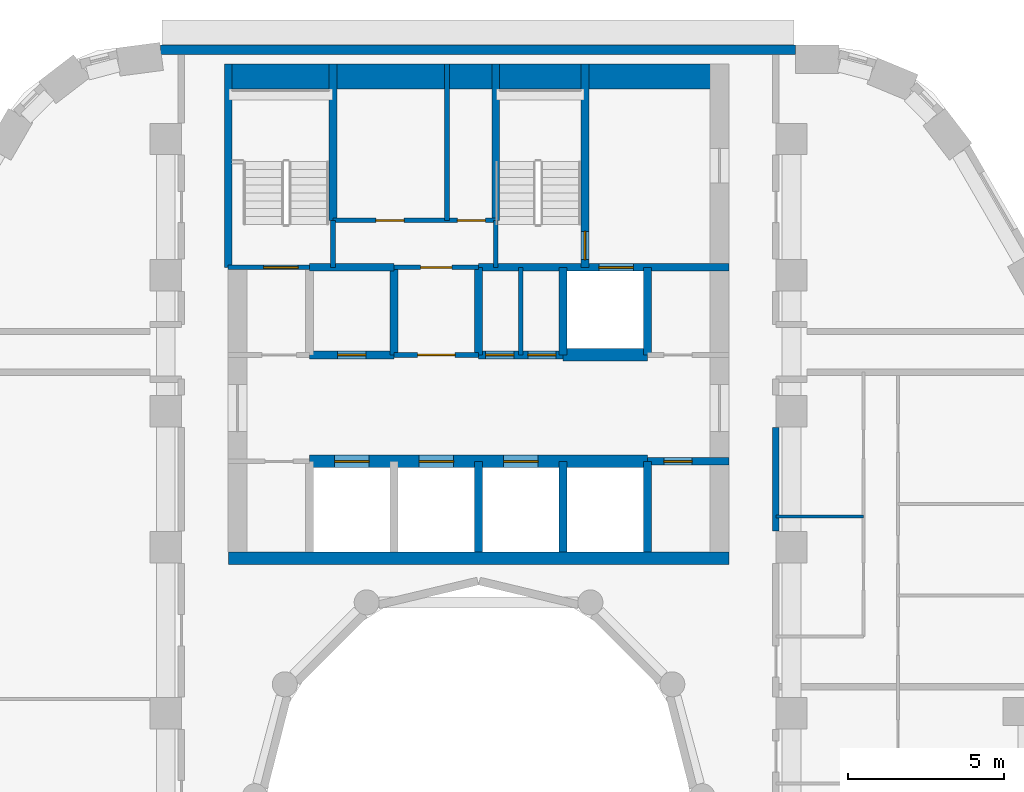
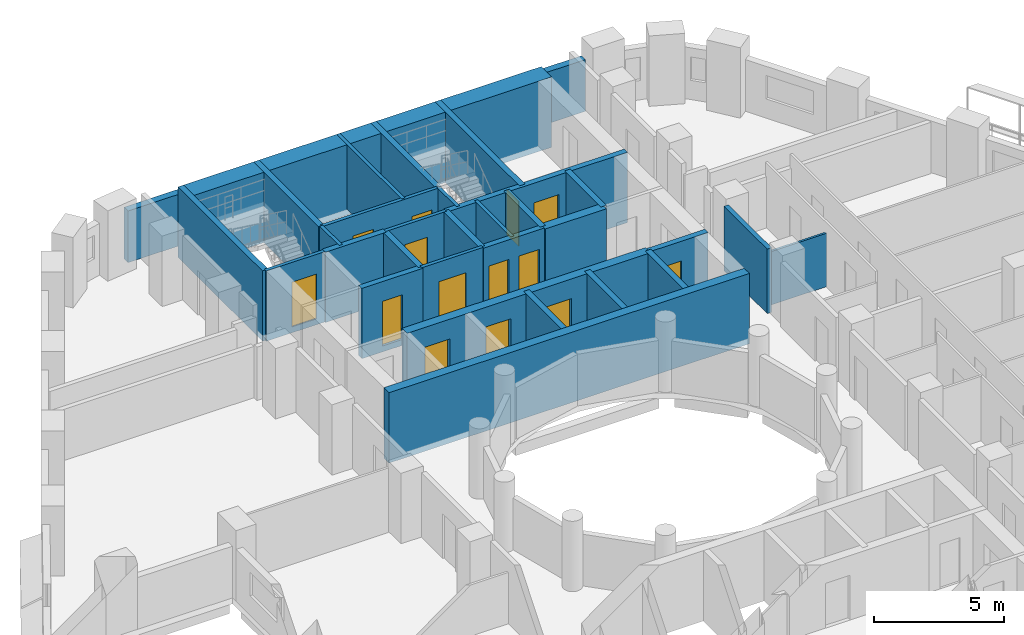
# One storey, part 7 of 13: 31 walls, 14 doors, 14 openings.
"""IFC4 building model written with IfcOpenShell, lengths in metres."""

import ifcopenshell
import ifcopenshell.guid

model = None  # the IFC model being written
_history = None  # IfcOwnerHistory: only IFC2X3 demands one
_inside = {}  # id of a spatial element -> (the spatial element, [elements in it])
_under = {}  # id of a project, library or spatial element -> (it, [spatial elements below it])
_declared = {}  # id of a project -> (the project, [libraries it declares])
_typed = {}  # id of a type object -> (the type object, [elements of that type])
_made_of = {}  # id of a material, layer set ... -> (it, [elements and type objects made of it])


def new_model(schema):
    """Start an empty IFC model of exactly this schema.

    Asked for "IFC4X3", IfcOpenShell would pick the latest addendum, in which some entities
    have other attributes; the version numbers below select the first issue.
    IFC2X3 requires an IfcOwnerHistory on every rooted entity: one is made here for all.
    """
    global model, _history
    if schema == "IFC4X3":
        model = ifcopenshell.file(schema_version=(4, 3, 0, 0))
    else:
        model = ifcopenshell.file(schema=schema)
    _inside.clear()
    _under.clear()
    _declared.clear()
    _typed.clear()
    _made_of.clear()
    _history = None
    if model.schema == "IFC2X3":
        org = make("IfcOrganization", Name="unknown")
        user = make(
            "IfcPersonAndOrganization",
            ThePerson=make("IfcPerson", FamilyName="unknown"),
            TheOrganization=org,
        )
        app = make(
            "IfcApplication",
            ApplicationDeveloper=org,
            Version="unknown",
            ApplicationFullName="unknown",
            ApplicationIdentifier="unknown",
        )
        _history = make(
            "IfcOwnerHistory",
            OwningUser=user,
            OwningApplication=app,
            ChangeAction="ADDED",
            CreationDate=0,
        )
    return model


def make(cls, **values):
    """One entity of the class cls with the attributes given. An attribute that is None is left unset."""
    return model.create_entity(
        cls, **{name: value for name, value in values.items() if value is not None}
    )


def rooted(cls, **values):
    """An entity with a GlobalId (a new one), such as an element, a storey or a relation."""
    return make(cls, GlobalId=ifcopenshell.guid.new(), OwnerHistory=_history, **values)


def si_unit(unit_type, name, prefix=None):
    """IfcSIUnit, for example si_unit("LENGTHUNIT", "METRE", prefix="MILLI")."""
    return make("IfcSIUnit", UnitType=unit_type, Prefix=prefix, Name=name)


def assignment(units):
    """IfcUnitAssignment: the units of a project."""
    return None if units is None else make("IfcUnitAssignment", Units=units)


def point(xyz):
    """IfcCartesianPoint."""
    return None if xyz is None else make("IfcCartesianPoint", Coordinates=xyz)


def direction(xyz):
    """IfcDirection."""
    return None if xyz is None else make("IfcDirection", DirectionRatios=xyz)


def frame(location, z_axis=None, x_axis=None):
    """IfcAxis2Placement3D, a coordinate frame: its origin and axes. An axis left out is left unset."""
    return make(
        "IfcAxis2Placement3D",
        Location=point(location),
        Axis=direction(z_axis),
        RefDirection=direction(x_axis),
    )


def frame_2d(location, x_axis=None):
    """IfcAxis2Placement2D, a coordinate frame in the plane: its origin and x axis."""
    return make(
        "IfcAxis2Placement2D", Location=point(location), RefDirection=direction(x_axis)
    )


def origin():
    """The frame at (0, 0, 0) with its axes left unset."""
    return frame((0.0, 0.0, 0.0))


def place(relative_to, where):
    """IfcLocalPlacement: puts the frame where relative to a parent placement (None: the world)."""
    return make(
        "IfcLocalPlacement", PlacementRelTo=relative_to, RelativePlacement=where
    )


def context(
    kind, dimensions, precision=None, world=None, true_north=None, identifier=None
):
    """IfcGeometricRepresentationContext, for example the 3D "Model" context."""
    return make(
        "IfcGeometricRepresentationContext",
        ContextIdentifier=identifier,
        ContextType=kind,
        CoordinateSpaceDimension=dimensions,
        Precision=precision,
        WorldCoordinateSystem=world,
        TrueNorth=true_north,
    )


def subcontext(parent, identifier, kind, view, scale=None):
    """IfcGeometricRepresentationSubContext, for example "Body" below "Model"."""
    return make(
        "IfcGeometricRepresentationSubContext",
        ContextIdentifier=identifier,
        ContextType=kind,
        ParentContext=parent,
        TargetScale=scale,
        TargetView=view,
    )


def project(units=None, contexts=None):
    """IfcProject with its units and contexts."""
    return rooted(
        "IfcProject",
        Name="project",
        RepresentationContexts=contexts,
        UnitsInContext=assignment(units),
    )


def spatial(cls, under=None, at=None, **own):
    """A site, building, storey or space (cls), placed at a placement, below another one or the project."""
    s = rooted(cls, ObjectPlacement=at, **own)
    if under is not None:
        _under.setdefault(under.id(), (under, []))[1].append(s)
    return s


def profile(cls, at=None, kind="AREA", **sizes):
    """A parametric profile (cls). Its sizes go by their IFC names, for example OverallWidth=200.0."""
    return make(cls, ProfileType=kind, Position=at, **sizes)


def rectangle(**sizes):
    """IfcRectangleProfileDef."""
    return profile("IfcRectangleProfileDef", **sizes)


def extrude(swept, where, along, depth):
    """IfcExtrudedAreaSolid: the profile swept, set in the frame where, extruded along a direction by depth."""
    return make(
        "IfcExtrudedAreaSolid",
        SweptArea=swept,
        Position=where,
        ExtrudedDirection=direction(along),
        Depth=depth,
    )


def shape(context_of_items, identifier, shape_type, items):
    """IfcShapeRepresentation: the items that make up one representation, for example the "Body"."""
    return make(
        "IfcShapeRepresentation",
        ContextOfItems=context_of_items,
        RepresentationIdentifier=identifier,
        RepresentationType=shape_type,
        Items=items,
    )


def material(Name=None, Category=None):
    """IfcMaterial."""
    return make("IfcMaterial", Name=Name, Category=Category)


def layer(
    of_material, thickness, ventilated=None, Name=None, Category=None, Priority=None
):
    """IfcMaterialLayer: one layer of a wall or slab, of a material (None: an air gap)."""
    return make(
        "IfcMaterialLayer",
        Material=of_material,
        LayerThickness=thickness,
        IsVentilated=ventilated,
        Name=Name,
        Category=Category,
        Priority=Priority,
    )


def layer_set(layers, Name=None):
    """IfcMaterialLayerSet."""
    return make("IfcMaterialLayerSet", MaterialLayers=layers, LayerSetName=Name)


def made_of(thing, what):
    """Note that an element or type object is made of a material, layer set ...; save() writes the relation."""
    if what is not None:
        _made_of.setdefault(what.id(), (what, []))[1].append(thing)
    return thing


def type_object(cls, material=None, **own):
    """A type object (cls), such as IfcWallType, which elements share."""
    return made_of(rooted(cls, **own), material)


def element(
    cls,
    number,
    at=None,
    inside=None,
    cuts=None,
    type_object=None,
    material=None,
    context=None,
    identifier="Body",
    shape_type=None,
    held_by="IfcProductDefinitionShape",
    body=None,
    shapes=None,
    **own,
):
    """One element of the class cls, such as IfcWall. Its Tag is "e" and its number.

    at: its placement. inside: the storey or other place that contains it. cuts: it is an
    opening in that element (IfcRelVoidsElement). A single representation is given by context,
    identifier, shape_type and body (its items); several are given by shapes. held_by: the class
    of the entity that holds the representations. save() writes the other relations.
    """
    e = rooted(cls, Tag="e%d" % number, ObjectPlacement=at, **own)
    if body is not None:
        shapes = [shape(context, identifier, shape_type, body)]
    if shapes is not None:
        e.Representation = make(held_by, Representations=shapes)
    if inside is not None:
        _inside.setdefault(inside.id(), (inside, []))[1].append(e)
    if cuts is not None:
        rooted(
            "IfcRelVoidsElement", RelatingBuildingElement=cuts, RelatedOpeningElement=e
        )
    if type_object is not None:
        _typed.setdefault(type_object.id(), (type_object, []))[1].append(e)
    return made_of(e, material)


def fill(opening, filler):
    """IfcRelFillsElement: the door or window that sits in an opening."""
    return rooted(
        "IfcRelFillsElement",
        RelatingOpeningElement=opening,
        RelatedBuildingElement=filler,
    )


def aggregate(whole, parts):
    """IfcRelAggregates: a whole, such as a stair, and the parts it consists of."""
    return rooted("IfcRelAggregates", RelatingObject=whole, RelatedObjects=parts)


def save(model, path):
    """Write the relations noted so far, then the file.

    IfcRelAggregates (storeys below a building ...), IfcRelContainedInSpatialStructure (elements
    in a storey), IfcRelDefinesByType, IfcRelAssociatesMaterial and IfcRelDeclares: one each for
    every whole, place, type object, material and project.
    """
    for whole, parts in _under.values():
        aggregate(whole, parts)
    for where, things in _inside.values():
        rooted(
            "IfcRelContainedInSpatialStructure",
            RelatedElements=things,
            RelatingStructure=where,
        )
    for kind, things in _typed.values():
        rooted("IfcRelDefinesByType", RelatedObjects=things, RelatingType=kind)
    for what, things in _made_of.values():
        rooted("IfcRelAssociatesMaterial", RelatedObjects=things, RelatingMaterial=what)
    for by, libraries in _declared.values():
        rooted("IfcRelDeclares", RelatingContext=by, RelatedDefinitions=libraries)
    model.write(path)


model = new_model("IFC4")

# Units and contexts
model_context = context("Model", 3, precision=1e-05, world=origin(), true_north=direction((0.0, 1.0)))
body_context = subcontext(model_context, "Body", "Model", "MODEL_VIEW")
ifc_project = project(units=[si_unit("LENGTHUNIT", "METRE"), si_unit("AREAUNIT", "SQUARE_METRE"), si_unit("VOLUMEUNIT", "CUBIC_METRE"), si_unit("PLANEANGLEUNIT", "RADIAN"), si_unit("MASSUNIT", "GRAM", prefix="KILO")], contexts=[model_context])

# Site, building, storey
site_placement = place(None, origin())
site = spatial("IfcSite", under=ifc_project, at=site_placement, CompositionType="ELEMENT")
building_placement = place(site_placement, origin())
building = spatial("IfcBuilding", under=site, at=building_placement, Name="Nakaniwa Court", CompositionType="ELEMENT")
storey_placement = place(building_placement, frame((0.0, 0.0, 84.300048828125)))
storey = spatial("IfcBuildingStorey", under=building, at=storey_placement, Name="L21", CompositionType="ELEMENT", Elevation=84.300048828125)

# Walls
ifc_material_1 = material(Name="Acoustic double stud partition")
ifc_layer_1 = layer(ifc_material_1, 0.199951171875)
ifc_layer_set_1 = layer_set([ifc_layer_1], Name="Acoustic double stud partition")
wall_type_1 = type_object("IfcWallType", Name="Acoustic double stud partition 200", PredefinedType="PARTITIONING", material=ifc_layer_set_1)
wall_1_placement = place(storey_placement, frame((89.5, 88.467041015625, 0.0), z_axis=(0.0, 0.0, 1.0), x_axis=(0.0, 1.0, 0.0)))
element("IfcWall", 1, at=wall_1_placement, inside=storey, type_object=wall_type_1, Name="Partition PW-076", PredefinedType="PARTITIONING", context=body_context, shape_type="SweptSolid", body=[
    extrude(rectangle(XDim=3.31591796875, YDim=0.199951171875, at=frame_2d((1.657958984375, 0.0))), origin(), (0.0, 0.0, 1.0), 3.02490234375),
])
ifc_material_2 = material(Name="Charcoal ceramic cladding")
ifc_layer_2 = layer(ifc_material_2, 0.02, Name="Ceramic cladding")
ifc_material_3 = material(Name="Ventilated air cavity")
ifc_layer_3 = layer(ifc_material_3, 0.04, ventilated=True, Name="Ventilated cavity")
ifc_material_4 = material(Name="Mineral wool insulation")
ifc_layer_4 = layer(ifc_material_4, 0.1, Name="Insulation")
ifc_material_5 = material(Name="Cement bonded sheathing board")
ifc_layer_5 = layer(ifc_material_5, 0.012, Name="Sheathing")
ifc_material_6 = material(Name="Cold-formed galvanised stud frame with mineral wool infill")
ifc_layer_6 = layer(ifc_material_6, 0.1, Name="Stud frame")
ifc_material_7 = material(Name="Fire-rated gypsum plasterboard lining")
ifc_layer_7 = layer(ifc_material_7, 0.028, Name="Lining")
ifc_layer_set_2 = layer_set([ifc_layer_2, ifc_layer_3, ifc_layer_4, ifc_layer_5, ifc_layer_6, ifc_layer_7], Name="Charcoal ceramic faced external wall system")
wall_type_2 = type_object("IfcWallType", Name="Black ceramic faced external wall 300", PredefinedType="SOLIDWALL", material=ifc_layer_set_2)
wall_2_placement = place(storey_placement, frame((90.128662109375, 103.85009765625, 0.0), z_axis=(0.0, 0.0, 1.0), x_axis=(-1.0, 0.0, 0.0)))
element("IfcWall", 2, at=wall_2_placement, inside=storey, type_object=wall_type_2, Name="L21 external wall 08", PredefinedType="SOLIDWALL", context=body_context, shape_type="SweptSolid", body=[
    extrude(rectangle(XDim=20.290771484375, YDim=0.300048828125, at=frame_2d((10.1455078125, 0.0))), origin(), (0.0, 0.0, 1.0), 2.425048828125),
])

# Wall, opening, door
ifc_material_8 = material(Name="Blockwork partition", Category="masonry")
ifc_layer_8 = layer(ifc_material_8, 0.14990234375)
ifc_layer_set_3 = layer_set([ifc_layer_8], Name="Blockwork partition")
wall_type_3 = type_object("IfcWallType", Name="Blockwork partition 150", PredefinedType="PARTITIONING", material=ifc_layer_set_3)
wall_3_placement = place(storey_placement, frame((77.297119140625, 94.10009765625, 0.0), z_axis=(0.0, 0.0, 1.0), x_axis=(1.0, 0.0, 0.0)))
wall_3 = element("IfcWall", 3, at=wall_3_placement, inside=storey, type_object=wall_type_3, Name="Partition PW-017", PredefinedType="PARTITIONING", context=body_context, shape_type="SweptSolid", body=[
    extrude(rectangle(XDim=2.705810546875, YDim=0.14990234375, at=frame_2d((1.35302734375, 0.0))), origin(), (0.0, 0.0, 1.0), 3.02490234375),
])
opening_1_placement = place(wall_3_placement, frame((0.7529296875, 0.0, 0.0)))
opening_1 = element("IfcOpeningElement", 4, at=opening_1_placement, cuts=wall_3, Name="Opening D-06-01", PredefinedType="OPENING", context=body_context, shape_type="SweptSolid", body=[
    extrude(rectangle(XDim=1.199951171875, YDim=2.10009765625, at=frame_2d((0.60009765625, 1.050048828125))), frame((0.0, 0.0849609375, 0.0), z_axis=(0.0, -1.0, 0.0), x_axis=(1.0, 0.0, 0.0)), (0.0, 0.0, 1.0), 0.169921875),
])
ifc_material_9 = material(Name="Fire rated steel double door set", Category="steel")
door_type_1 = type_object("IfcDoorType", Name="Service passage double door 1200", OperationType="NOTDEFINED", PredefinedType="DOOR", material=ifc_material_9)
door_1_placement = place(opening_1_placement, origin())
door_1 = element("IfcDoor", 5, at=door_1_placement, inside=storey, type_object=door_type_1, Name="Door D-06-01 L21-005", OperationType="DOUBLE_DOOR_SINGLE_SWING", OverallHeight=2.10009765625, OverallWidth=1.199951171875, PredefinedType="DOOR", context=body_context, shape_type="SweptSolid", body=[
    extrude(rectangle(XDim=1.199951171875, YDim=2.10009765625, at=frame_2d((0.60009765625, 1.050048828125))), frame((0.0, 0.02490234375, 0.0), z_axis=(0.0, -1.0, 0.0), x_axis=(1.0, 0.0, 0.0)), (0.0, 0.0, 1.0), 0.050048828125),
])
fill(opening_1, door_1)

wall_4_placement = place(storey_placement, frame((77.300048828125, 96.89990234375, 0.0), z_axis=(0.0, 0.0, 1.0), x_axis=(1.0, 0.0, 0.0)))
wall_4 = element("IfcWall", 6, at=wall_4_placement, inside=storey, type_object=wall_type_3, Name="Partition PW-025", PredefinedType="PARTITIONING", context=body_context, shape_type="SweptSolid", body=[
    extrude(rectangle(XDim=2.699951171875, YDim=0.14990234375, at=frame_2d((1.35009765625, 0.0))), origin(), (0.0, 0.0, 1.0), 3.02490234375),
])
opening_2_placement = place(wall_4_placement, frame((0.85009765625, 0.0, 0.0)))
opening_2 = element("IfcOpeningElement", 7, at=opening_2_placement, cuts=wall_4, Name="Opening D-23-01", PredefinedType="OPENING", context=body_context, shape_type="SweptSolid", body=[
    extrude(rectangle(XDim=1.0, YDim=2.10009765625, at=frame_2d((0.5, 1.050048828125))), frame((0.0, 0.0849609375, 0.0), z_axis=(0.0, -1.0, 0.0), x_axis=(1.0, 0.0, 0.0)), (0.0, 0.0, 1.0), 0.169921875),
])
ifc_material_10 = material(Name="Fire rated steel door set", Category="steel")
door_type_2 = type_object("IfcDoorType", Name="Service room door 1000", OperationType="NOTDEFINED", PredefinedType="DOOR", material=ifc_material_10)
door_2_placement = place(opening_2_placement, origin())
door_2 = element("IfcDoor", 8, at=door_2_placement, inside=storey, type_object=door_type_2, Name="Door D-23-01 L21-009", OperationType="SINGLE_SWING_RIGHT", OverallHeight=2.10009765625, OverallWidth=1.0, PredefinedType="DOOR", context=body_context, shape_type="SweptSolid", body=[
    extrude(rectangle(XDim=1.0, YDim=2.10009765625, at=frame_2d((0.5, 1.050048828125))), frame((0.0, 0.02490234375, 0.0), z_axis=(0.0, -1.0, 0.0), x_axis=(1.0, 0.0, 0.0)), (0.0, 0.0, 1.0), 0.050048828125),
])
fill(opening_2, door_2)

# Wall
wall_5_placement = place(storey_placement, frame((81.35009765625, 94.10009765625, 0.0), z_axis=(0.0, 0.0, 1.0), x_axis=(0.0, 1.0, 0.0)))
element("IfcWall", 9, at=wall_5_placement, inside=storey, type_object=wall_type_3, Name="Partition PW-026", PredefinedType="PARTITIONING", context=body_context, shape_type="SweptSolid", body=[
    extrude(rectangle(XDim=2.7998046875, YDim=0.14990234375, at=frame_2d((1.39990234375, 0.0))), origin(), (0.0, 0.0, 1.0), 3.02490234375),
])

# Wall, openings, doors
wall_6_placement = place(storey_placement, frame((75.35009765625, 98.39990234375, 0.0), z_axis=(0.0, 0.0, 1.0), x_axis=(1.0, 0.0, 0.0)))
wall_6 = element("IfcWall", 10, at=wall_6_placement, inside=storey, type_object=wall_type_3, Name="Partition PW-033", PredefinedType="PARTITIONING", context=body_context, shape_type="SweptSolid", body=[
    extrude(rectangle(XDim=5.199951171875, YDim=0.14990234375, at=frame_2d((2.60009765625, 0.0))), origin(), (0.0, 0.0, 1.0), 3.02490234375),
])
opening_3_placement = place(wall_6_placement, frame((1.3701171875, 0.0, 0.0)))
opening_3 = element("IfcOpeningElement", 11, at=opening_3_placement, cuts=wall_6, Name="Opening D-05-07", PredefinedType="OPENING", context=body_context, shape_type="SweptSolid", body=[
    extrude(rectangle(XDim=0.89990234375, YDim=2.10009765625, at=frame_2d((0.449951171875, 1.050048828125))), frame((0.0, 0.0849609375, 0.0), z_axis=(0.0, -1.0, 0.0), x_axis=(1.0, 0.0, 0.0)), (0.0, 0.0, 1.0), 0.169921875),
])
opening_4_placement = place(wall_6_placement, frame((3.969970703125, 0.0, 0.0)))
opening_4 = element("IfcOpeningElement", 12, at=opening_4_placement, cuts=wall_6, Name="Opening D-05-08", PredefinedType="OPENING", context=body_context, shape_type="SweptSolid", body=[
    extrude(rectangle(XDim=0.89990234375, YDim=2.10009765625, at=frame_2d((0.449951171875, 1.050048828125))), frame((0.0, 0.0849609375, 0.0), z_axis=(0.0, -1.0, 0.0), x_axis=(1.0, 0.0, 0.0)), (0.0, 0.0, 1.0), 0.169921875),
])
door_type_3 = type_object("IfcDoorType", Name="Service room door 900", OperationType="NOTDEFINED", PredefinedType="DOOR", material=ifc_material_10)
door_3_placement = place(opening_3_placement, origin())
door_3 = element("IfcDoor", 13, at=door_3_placement, inside=storey, type_object=door_type_3, Name="Door D-05-07 L21-010", OperationType="SINGLE_SWING_LEFT", OverallHeight=2.10009765625, OverallWidth=0.89990234375, PredefinedType="DOOR", context=body_context, shape_type="SweptSolid", body=[
    extrude(rectangle(XDim=0.89990234375, YDim=2.10009765625, at=frame_2d((0.449951171875, 1.050048828125))), frame((0.0, 0.02490234375, 0.0), z_axis=(0.0, -1.0, 0.0), x_axis=(1.0, 0.0, 0.0)), (0.0, 0.0, 1.0), 0.050048828125),
])
fill(opening_3, door_3)
door_4_placement = place(opening_4_placement, origin())
door_4 = element("IfcDoor", 14, at=door_4_placement, inside=storey, type_object=door_type_3, Name="Door D-05-08 L21-011", OperationType="SINGLE_SWING_RIGHT", OverallHeight=2.10009765625, OverallWidth=0.89990234375, PredefinedType="DOOR", context=body_context, shape_type="SweptSolid", body=[
    extrude(rectangle(XDim=0.89990234375, YDim=2.10009765625, at=frame_2d((0.449951171875, 1.050048828125))), frame((0.0, 0.02490234375, 0.0), z_axis=(0.0, -1.0, 0.0), x_axis=(1.0, 0.0, 0.0)), (0.0, 0.0, 1.0), 0.050048828125),
])
fill(opening_4, door_4)

# Wall
wall_7_placement = place(storey_placement, frame((78.989990234375, 98.39990234375, 0.0), z_axis=(0.0, 0.0, 1.0), x_axis=(0.0, 1.0, 0.0)))
element("IfcWall", 15, at=wall_7_placement, inside=storey, type_object=wall_type_3, Name="Partition PW-034", PredefinedType="PARTITIONING", context=body_context, shape_type="SweptSolid", body=[
    extrude(rectangle(XDim=5.0, YDim=0.14990234375, at=frame_2d((2.5, 0.0))), origin(), (0.0, 0.0, 1.0), 3.02490234375),
])

# Wall, openings, doors
ifc_material_11 = material(Name="Concrete C80/100", Category="concrete")
ifc_layer_9 = layer(ifc_material_11, 0.39990234375)
ifc_layer_set_4 = layer_set([ifc_layer_9], Name="Concrete C80/100")
wall_type_4 = type_object("IfcWallType", Name="Concrete core spine wall 400 C80", PredefinedType="SHEAR", material=ifc_layer_set_4)
wall_8_placement = place(storey_placement, frame((74.60009765625, 90.699951171875, -0.275146484375), z_axis=(0.0, 0.0, 1.0), x_axis=(1.0, 0.0, 0.0)))
wall_8 = element("IfcWall", 16, at=wall_8_placement, inside=storey, type_object=wall_type_4, Name="Core wall SW-07", PredefinedType="SHEAR", context=body_context, shape_type="SweptSolid", body=[
    extrude(rectangle(XDim=10.7998046875, YDim=0.39990234375, at=frame_2d((5.39990234375, 0.0))), origin(), (0.0, 0.0, 1.0), 3.300048828125),
])
opening_5_placement = place(wall_8_placement, frame((0.800048828125, 0.0, 0.27490234375)))
opening_5 = element("IfcOpeningElement", 17, at=opening_5_placement, cuts=wall_8, Name="Opening LD01", PredefinedType="OPENING", context=body_context, shape_type="SweptSolid", body=[
    extrude(rectangle(XDim=1.10009765625, YDim=2.10009765625, at=frame_2d((0.550048828125, 1.050048828125))), frame((0.0, 0.2099609375, 0.0), z_axis=(0.0, -1.0, 0.0), x_axis=(1.0, 0.0, 0.0)), (0.0, 0.0, 1.0), 0.419921875),
])
opening_6_placement = place(wall_8_placement, frame((3.5, 0.0, 0.27490234375)))
opening_6 = element("IfcOpeningElement", 18, at=opening_6_placement, cuts=wall_8, Name="Opening LD02", PredefinedType="OPENING", context=body_context, shape_type="SweptSolid", body=[
    extrude(rectangle(XDim=1.10009765625, YDim=2.10009765625, at=frame_2d((0.550048828125, 1.050048828125))), frame((0.0, 0.2099609375, 0.0), z_axis=(0.0, -1.0, 0.0), x_axis=(1.0, 0.0, 0.0)), (0.0, 0.0, 1.0), 0.419921875),
])
opening_7_placement = place(wall_8_placement, frame((6.199951171875, 0.0, 0.27490234375)))
opening_7 = element("IfcOpeningElement", 19, at=opening_7_placement, cuts=wall_8, Name="Opening LD03", PredefinedType="OPENING", context=body_context, shape_type="SweptSolid", body=[
    extrude(rectangle(XDim=1.10009765625, YDim=2.10009765625, at=frame_2d((0.550048828125, 1.050048828125))), frame((0.0, 0.2099609375, 0.0), z_axis=(0.0, -1.0, 0.0), x_axis=(1.0, 0.0, 0.0)), (0.0, 0.0, 1.0), 0.419921875),
])
ifc_material_12 = material(Name="Stainless steel sliding lift landing door", Category="steel")
door_type_4 = type_object("IfcDoorType", Name="Lift landing door 1100", OperationType="NOTDEFINED", PredefinedType="DOOR", material=ifc_material_12)
door_5_placement = place(opening_5_placement, origin())
door_5 = element("IfcDoor", 20, at=door_5_placement, inside=storey, type_object=door_type_4, Name="Lift landing door LD01 L21-001", OperationType="SLIDING_TO_LEFT", OverallHeight=2.10009765625, OverallWidth=1.10009765625, PredefinedType="DOOR", context=body_context, shape_type="SweptSolid", body=[
    extrude(rectangle(XDim=1.10009765625, YDim=2.10009765625, at=frame_2d((0.550048828125, 1.050048828125))), frame((0.0, 0.02490234375, 0.0), z_axis=(0.0, -1.0, 0.0), x_axis=(1.0, 0.0, 0.0)), (0.0, 0.0, 1.0), 0.050048828125),
])
fill(opening_5, door_5)
door_6_placement = place(opening_6_placement, origin())
door_6 = element("IfcDoor", 21, at=door_6_placement, inside=storey, type_object=door_type_4, Name="Lift landing door LD02 L21-002", OperationType="SLIDING_TO_LEFT", OverallHeight=2.10009765625, OverallWidth=1.10009765625, PredefinedType="DOOR", context=body_context, shape_type="SweptSolid", body=[
    extrude(rectangle(XDim=1.10009765625, YDim=2.10009765625, at=frame_2d((0.550048828125, 1.050048828125))), frame((0.0, 0.02490234375, 0.0), z_axis=(0.0, -1.0, 0.0), x_axis=(1.0, 0.0, 0.0)), (0.0, 0.0, 1.0), 0.050048828125),
])
fill(opening_6, door_6)
door_7_placement = place(opening_7_placement, origin())
door_7 = element("IfcDoor", 22, at=door_7_placement, inside=storey, type_object=door_type_4, Name="Lift landing door LD03 L21-003", OperationType="SLIDING_TO_LEFT", OverallHeight=2.10009765625, OverallWidth=1.10009765625, PredefinedType="DOOR", context=body_context, shape_type="SweptSolid", body=[
    extrude(rectangle(XDim=1.10009765625, YDim=2.10009765625, at=frame_2d((0.550048828125, 1.050048828125))), frame((0.0, 0.02490234375, 0.0), z_axis=(0.0, -1.0, 0.0), x_axis=(1.0, 0.0, 0.0)), (0.0, 0.0, 1.0), 0.050048828125),
])
fill(opening_7, door_7)

# Wall
wall_9_placement = place(storey_placement, frame((82.697021484375, 94.10009765625, -0.275146484375), z_axis=(0.0, 0.0, 1.0), x_axis=(1.0, 0.0, 0.0)))
element("IfcWall", 23, at=wall_9_placement, inside=storey, type_object=wall_type_4, Name="Core wall SW-21", PredefinedType="SHEAR", context=body_context, shape_type="SweptSolid", body=[
    extrude(rectangle(XDim=2.7060546875, YDim=0.39990234375, at=frame_2d((1.35302734375, 0.0))), origin(), (0.0, 0.0, 1.0), 3.300048828125),
])

# Wall, opening, door
ifc_layer_10 = layer(ifc_material_11, 0.14990234375)
ifc_layer_set_5 = layer_set([ifc_layer_10], Name="Concrete C80/100")
wall_type_5 = type_object("IfcWallType", Name="Concrete core wall 150 C80", PredefinedType="SHEAR", material=ifc_layer_set_5)
wall_10_placement = place(storey_placement, frame((74.60009765625, 96.89990234375, -0.275146484375), z_axis=(0.0, 0.0, 1.0), x_axis=(-1.0, 0.0, 0.0)))
wall_10 = element("IfcWall", 24, at=wall_10_placement, inside=storey, type_object=wall_type_5, Name="Core wall SW-22", PredefinedType="SHEAR", context=body_context, shape_type="SweptSolid", body=[
    extrude(rectangle(XDim=2.60009765625, YDim=0.14990234375, at=frame_2d((1.300048828125, 0.0))), origin(), (0.0, 0.0, 1.0), 3.300048828125),
])
opening_8_placement = place(wall_10_placement, frame((0.3701171875, 0.0, 0.27490234375)))
opening_8 = element("IfcOpeningElement", 25, at=opening_8_placement, cuts=wall_10, Name="Opening D-09-01", PredefinedType="OPENING", context=body_context, shape_type="SweptSolid", body=[
    extrude(rectangle(XDim=1.10009765625, YDim=2.10009765625, at=frame_2d((0.550048828125, 1.050048828125))), frame((0.0, 0.0849609375, 0.0), z_axis=(0.0, -1.0, 0.0), x_axis=(1.0, 0.0, 0.0)), (0.0, 0.0, 1.0), 0.169921875),
])
door_type_5 = type_object("IfcDoorType", Name="Stair door 1100", OperationType="NOTDEFINED", PredefinedType="DOOR", material=ifc_material_10)
door_8_placement = place(opening_8_placement, origin())
door_8 = element("IfcDoor", 26, at=door_8_placement, inside=storey, type_object=door_type_5, Name="Door D-09-01 L21-012", OperationType="SINGLE_SWING_RIGHT", OverallHeight=2.10009765625, OverallWidth=1.10009765625, PredefinedType="DOOR", context=body_context, shape_type="SweptSolid", body=[
    extrude(rectangle(XDim=1.10009765625, YDim=2.10009765625, at=frame_2d((0.550048828125, 1.050048828125))), frame((0.0, 0.02490234375, 0.0), z_axis=(0.0, -1.0, 0.0), x_axis=(1.0, 0.0, 0.0)), (0.0, 0.0, 1.0), 0.050048828125),
])
fill(opening_8, door_8)

# Walls
for number, where, z_axis, x_axis, name in (
    (27, (75.35009765625, 96.89990234375, -0.275146484375), (0.0, 0.0, 1.0), (0.0, 1.0, 0.0), "Core wall SW-27"),
    (28, (80.550048828125, 96.89990234375, -0.275146484375), (0.0, 0.0, 1.0), (0.0, 1.0, 0.0), "Core wall SW-31"),
):
    element("IfcWall", number, at=place(storey_placement, frame(where, z_axis=z_axis, x_axis=x_axis)), inside=storey, type_object=wall_type_5, Name=name, PredefinedType="SHEAR", context=body_context, shape_type="SweptSolid", body=[
        extrude(rectangle(XDim=1.503173828125, YDim=0.14990234375, at=frame_2d((0.75146484375, 0.0))), origin(), (0.0, 0.0, 1.0), 3.300048828125),
    ])
ifc_layer_11 = layer(ifc_material_11, 0.25)
ifc_layer_set_6 = layer_set([ifc_layer_11], Name="Concrete C80/100")
wall_type_6 = type_object("IfcWallType", Name="Concrete core wall 250 C80", PredefinedType="SHEAR", material=ifc_layer_set_6)
wall_11_placement = place(storey_placement, frame((72.0, 96.89990234375, -0.275146484375), z_axis=(0.0, 0.0, 1.0), x_axis=(0.0, 1.0, 0.0)))
element("IfcWall", 29, at=wall_11_placement, inside=storey, type_object=wall_type_6, Name="Core wall SW-29", PredefinedType="SHEAR", context=body_context, shape_type="SweptSolid", body=[
    extrude(rectangle(XDim=6.5, YDim=0.25, at=frame_2d((3.25, 0.0))), origin(), (0.0, 0.0, 1.0), 3.300048828125),
])
ifc_layer_12 = layer(ifc_material_11, 0.800048828125)
ifc_layer_set_7 = layer_set([ifc_layer_12], Name="Concrete C80/100")
wall_type_7 = type_object("IfcWallType", Name="Concrete core wall 800 C80", PredefinedType="SHEAR", material=ifc_layer_set_7)
wall_12_placement = place(storey_placement, frame((72.00390625, 103.0, -0.275146484375), z_axis=(0.0, 0.0, 1.0), x_axis=(1.0, 0.0, 0.0)))
element("IfcWall", 30, at=wall_12_placement, inside=storey, type_object=wall_type_7, Name="Core wall SW-123", PredefinedType="SHEAR", context=body_context, shape_type="SweptSolid", body=[
    extrude(rectangle(XDim=15.9921875, YDim=0.800048828125, at=frame_2d((7.99609375, 0.0))), origin(), (0.0, 0.0, 1.0), 3.300048828125),
])
ifc_layer_13 = layer(ifc_material_11, 0.39990234375)
ifc_layer_set_8 = layer_set([ifc_layer_13], Name="Concrete C80/100")
wall_type_8 = type_object("IfcWallType", Name="Concrete core well wall 400 C80", PredefinedType="SHEAR", material=ifc_layer_set_8)
wall_13_placement = place(storey_placement, frame((72.00390625, 87.60009765625, -0.275146484375), z_axis=(0.0, 0.0, 1.0), x_axis=(1.0, 0.0, 0.0)))
element("IfcWall", 31, at=wall_13_placement, inside=storey, type_object=wall_type_8, Name="Core wall SW-122", PredefinedType="SHEAR", context=body_context, shape_type="SweptSolid", body=[
    extrude(rectangle(XDim=15.9921875, YDim=0.39990234375, at=frame_2d((7.99609375, 0.0))), origin(), (0.0, 0.0, 1.0), 3.300048828125),
])
ifc_layer_14 = layer(ifc_material_11, 0.25)
ifc_layer_set_9 = layer_set([ifc_layer_14], Name="Concrete C80/100")
wall_type_9 = type_object("IfcWallType", Name="Concrete shaft wall 250 C80", PredefinedType="SHEAR", material=ifc_layer_set_9)
wall_14_placement = place(storey_placement, frame((77.300048828125, 94.10009765625, -0.275146484375), z_axis=(0.0, 0.0, 1.0), x_axis=(0.0, 1.0, 0.0)))
element("IfcWall", 32, at=wall_14_placement, inside=storey, type_object=wall_type_9, Name="Core wall SW-06", PredefinedType="SHEAR", context=body_context, shape_type="SweptSolid", body=[
    extrude(rectangle(XDim=2.7998046875, YDim=0.25, at=frame_2d((1.39990234375, 0.0))), origin(), (0.0, 0.0, 1.0), 3.300048828125),
])
wall_15_placement = place(storey_placement, frame((80.0, 87.800048828125, -0.275146484375), z_axis=(0.0, 0.0, 1.0), x_axis=(0.0, 1.0, 0.0)))
element("IfcWall", 33, at=wall_15_placement, inside=storey, type_object=wall_type_9, Name="Core wall SW-08", PredefinedType="SHEAR", context=body_context, shape_type="SweptSolid", body=[
    extrude(rectangle(XDim=2.89990234375, YDim=0.25, at=frame_2d((1.449951171875, 0.0))), origin(), (0.0, 0.0, 1.0), 3.300048828125),
])
wall_16_placement = place(storey_placement, frame((80.0, 94.10009765625, -0.275146484375), z_axis=(0.0, 0.0, 1.0), x_axis=(0.0, 1.0, 0.0)))
element("IfcWall", 34, at=wall_16_placement, inside=storey, type_object=wall_type_9, Name="Core wall SW-09", PredefinedType="SHEAR", context=body_context, shape_type="SweptSolid", body=[
    extrude(rectangle(XDim=2.7998046875, YDim=0.25, at=frame_2d((1.39990234375, 0.0))), origin(), (0.0, 0.0, 1.0), 3.300048828125),
])
wall_17_placement = place(storey_placement, frame((82.699951171875, 87.800048828125, -0.275146484375), z_axis=(0.0, 0.0, 1.0), x_axis=(0.0, 1.0, 0.0)))
element("IfcWall", 35, at=wall_17_placement, inside=storey, type_object=wall_type_9, Name="Core wall SW-10", PredefinedType="SHEAR", context=body_context, shape_type="SweptSolid", body=[
    extrude(rectangle(XDim=2.89990234375, YDim=0.25, at=frame_2d((1.449951171875, 0.0))), origin(), (0.0, 0.0, 1.0), 3.300048828125),
])
wall_18_placement = place(storey_placement, frame((82.699951171875, 94.10009765625, -0.275146484375), z_axis=(0.0, 0.0, 1.0), x_axis=(0.0, 1.0, 0.0)))
element("IfcWall", 36, at=wall_18_placement, inside=storey, type_object=wall_type_9, Name="Core wall SW-11", PredefinedType="SHEAR", context=body_context, shape_type="SweptSolid", body=[
    extrude(rectangle(XDim=2.7998046875, YDim=0.25, at=frame_2d((1.39990234375, 0.0))), origin(), (0.0, 0.0, 1.0), 3.300048828125),
])
wall_19_placement = place(storey_placement, frame((85.39990234375, 87.800048828125, -0.275146484375), z_axis=(0.0, 0.0, 1.0), x_axis=(0.0, 1.0, 0.0)))
element("IfcWall", 37, at=wall_19_placement, inside=storey, type_object=wall_type_9, Name="Core wall SW-12", PredefinedType="SHEAR", context=body_context, shape_type="SweptSolid", body=[
    extrude(rectangle(XDim=2.89990234375, YDim=0.25, at=frame_2d((1.449951171875, 0.0))), origin(), (0.0, 0.0, 1.0), 3.300048828125),
])
wall_20_placement = place(storey_placement, frame((85.39990234375, 94.10009765625, -0.275146484375), z_axis=(0.0, 0.0, 1.0), x_axis=(0.0, 1.0, 0.0)))
element("IfcWall", 38, at=wall_20_placement, inside=storey, type_object=wall_type_9, Name="Core wall SW-13", PredefinedType="SHEAR", context=body_context, shape_type="SweptSolid", body=[
    extrude(rectangle(XDim=2.7998046875, YDim=0.25, at=frame_2d((1.39990234375, 0.0))), origin(), (0.0, 0.0, 1.0), 3.300048828125),
])

# Wall, opening, door
wall_21_placement = place(storey_placement, frame((88.0, 90.699951171875, -0.275146484375), z_axis=(0.0, 0.0, 1.0), x_axis=(-1.0, 0.0, 0.0)))
wall_21 = element("IfcWall", 39, at=wall_21_placement, inside=storey, type_object=wall_type_9, Name="Core wall SW-14", PredefinedType="SHEAR", context=body_context, shape_type="SweptSolid", body=[
    extrude(rectangle(XDim=2.60009765625, YDim=0.25, at=frame_2d((1.300048828125, 0.0))), origin(), (0.0, 0.0, 1.0), 3.300048828125),
])
opening_9_placement = place(wall_21_placement, frame((1.175048828125, 0.0, 0.27490234375)))
opening_9 = element("IfcOpeningElement", 40, at=opening_9_placement, cuts=wall_21, Name="Opening D-05-02", PredefinedType="OPENING", context=body_context, shape_type="SweptSolid", body=[
    extrude(rectangle(XDim=0.89990234375, YDim=2.10009765625, at=frame_2d((0.449951171875, 1.050048828125))), frame((0.0, 0.135009765625, 0.0), z_axis=(0.0, -1.0, 0.0), x_axis=(1.0, 0.0, 0.0)), (0.0, 0.0, 1.0), 0.27001953125),
])
door_9_placement = place(opening_9_placement, origin())
door_9 = element("IfcDoor", 41, at=door_9_placement, inside=storey, type_object=door_type_3, Name="Door D-05-02 L21-002", OperationType="SINGLE_SWING_LEFT", OverallHeight=2.10009765625, OverallWidth=0.89990234375, PredefinedType="DOOR", context=body_context, shape_type="SweptSolid", body=[
    extrude(rectangle(XDim=0.89990234375, YDim=2.10009765625, at=frame_2d((0.449951171875, 1.050048828125))), frame((0.0, 0.02490234375, 0.0), z_axis=(0.0, -1.0, 0.0), x_axis=(1.0, 0.0, 0.0)), (0.0, 0.0, 1.0), 0.050048828125),
])
fill(opening_9, door_9)

wall_22_placement = place(storey_placement, frame((74.596923828125, 94.10009765625, -0.275146484375), z_axis=(0.0, 0.0, 1.0), x_axis=(1.0, 0.0, 0.0)))
wall_22 = element("IfcWall", 42, at=wall_22_placement, inside=storey, type_object=wall_type_9, Name="Core wall SW-19", PredefinedType="SHEAR", context=body_context, shape_type="SweptSolid", body=[
    extrude(rectangle(XDim=2.7060546875, YDim=0.25, at=frame_2d((1.35302734375, 0.0))), origin(), (0.0, 0.0, 1.0), 3.300048828125),
])
opening_10_placement = place(wall_22_placement, frame((0.903076171875, 0.0, 0.27490234375)))
opening_10 = element("IfcOpeningElement", 43, at=opening_10_placement, cuts=wall_22, Name="Opening D-05-03", PredefinedType="OPENING", context=body_context, shape_type="SweptSolid", body=[
    extrude(rectangle(XDim=0.89990234375, YDim=2.10009765625, at=frame_2d((0.449951171875, 1.050048828125))), frame((0.0, 0.135009765625, 0.0), z_axis=(0.0, -1.0, 0.0), x_axis=(1.0, 0.0, 0.0)), (0.0, 0.0, 1.0), 0.27001953125),
])
door_10_placement = place(opening_10_placement, origin())
door_10 = element("IfcDoor", 44, at=door_10_placement, inside=storey, type_object=door_type_3, Name="Door D-05-03 L21-004", OperationType="SINGLE_SWING_LEFT", OverallHeight=2.10009765625, OverallWidth=0.89990234375, PredefinedType="DOOR", context=body_context, shape_type="SweptSolid", body=[
    extrude(rectangle(XDim=0.89990234375, YDim=2.10009765625, at=frame_2d((0.449951171875, 1.050048828125))), frame((0.0, 0.02490234375, 0.0), z_axis=(0.0, -1.0, 0.0), x_axis=(1.0, 0.0, 0.0)), (0.0, 0.0, 1.0), 0.050048828125),
])
fill(opening_10, door_10)

# Wall, openings, doors
wall_23_placement = place(storey_placement, frame((79.9970703125, 94.10009765625, -0.275146484375), z_axis=(0.0, 0.0, 1.0), x_axis=(1.0, 0.0, 0.0)))
wall_23 = element("IfcWall", 45, at=wall_23_placement, inside=storey, type_object=wall_type_9, Name="Core wall SW-20", PredefinedType="SHEAR", context=body_context, shape_type="SweptSolid", body=[
    extrude(rectangle(XDim=2.705810546875, YDim=0.25, at=frame_2d((1.35302734375, 0.0))), origin(), (0.0, 0.0, 1.0), 3.300048828125),
])
opening_11_placement = place(wall_23_placement, frame((0.22802734375, 0.0, 0.27490234375)))
opening_11 = element("IfcOpeningElement", 46, at=opening_11_placement, cuts=wall_23, Name="Opening D-05-04", PredefinedType="OPENING", context=body_context, shape_type="SweptSolid", body=[
    extrude(rectangle(XDim=0.89990234375, YDim=2.10009765625, at=frame_2d((0.449951171875, 1.050048828125))), frame((0.0, 0.135009765625, 0.0), z_axis=(0.0, -1.0, 0.0), x_axis=(1.0, 0.0, 0.0)), (0.0, 0.0, 1.0), 0.27001953125),
])
opening_12_placement = place(wall_23_placement, frame((1.577880859375, 0.0, 0.27490234375)))
opening_12 = element("IfcOpeningElement", 47, at=opening_12_placement, cuts=wall_23, Name="Opening D-05-05", PredefinedType="OPENING", context=body_context, shape_type="SweptSolid", body=[
    extrude(rectangle(XDim=0.89990234375, YDim=2.10009765625, at=frame_2d((0.449951171875, 1.050048828125))), frame((0.0, 0.135009765625, 0.0), z_axis=(0.0, -1.0, 0.0), x_axis=(1.0, 0.0, 0.0)), (0.0, 0.0, 1.0), 0.27001953125),
])
door_11_placement = place(opening_11_placement, origin())
door_11 = element("IfcDoor", 48, at=door_11_placement, inside=storey, type_object=door_type_3, Name="Door D-05-04 L21-006", OperationType="SINGLE_SWING_LEFT", OverallHeight=2.10009765625, OverallWidth=0.89990234375, PredefinedType="DOOR", context=body_context, shape_type="SweptSolid", body=[
    extrude(rectangle(XDim=0.89990234375, YDim=2.10009765625, at=frame_2d((0.449951171875, 1.050048828125))), frame((0.0, 0.02490234375, 0.0), z_axis=(0.0, -1.0, 0.0), x_axis=(1.0, 0.0, 0.0)), (0.0, 0.0, 1.0), 0.050048828125),
])
fill(opening_11, door_11)
door_12_placement = place(opening_12_placement, origin())
door_12 = element("IfcDoor", 49, at=door_12_placement, inside=storey, type_object=door_type_3, Name="Door D-05-05 L21-007", OperationType="SINGLE_SWING_RIGHT", OverallHeight=2.10009765625, OverallWidth=0.89990234375, PredefinedType="DOOR", context=body_context, shape_type="SweptSolid", body=[
    extrude(rectangle(XDim=0.89990234375, YDim=2.10009765625, at=frame_2d((0.449951171875, 1.050048828125))), frame((0.0, 0.02490234375, 0.0), z_axis=(0.0, -1.0, 0.0), x_axis=(1.0, 0.0, 0.0)), (0.0, 0.0, 1.0), 0.050048828125),
])
fill(opening_12, door_12)

# Wall
wall_24_placement = place(storey_placement, frame((74.60009765625, 96.89990234375, -0.275146484375), z_axis=(0.0, 0.0, 1.0), x_axis=(1.0, 0.0, 0.0)))
element("IfcWall", 50, at=wall_24_placement, inside=storey, type_object=wall_type_9, Name="Core wall SW-23", PredefinedType="SHEAR", context=body_context, shape_type="SweptSolid", body=[
    extrude(rectangle(XDim=2.699951171875, YDim=0.25, at=frame_2d((1.35009765625, 0.0))), origin(), (0.0, 0.0, 1.0), 3.300048828125),
])

# Wall, opening, door
wall_25_placement = place(storey_placement, frame((80.0, 96.89990234375, -0.275146484375), z_axis=(0.0, 0.0, 1.0), x_axis=(1.0, 0.0, 0.0)))
wall_25 = element("IfcWall", 51, at=wall_25_placement, inside=storey, type_object=wall_type_9, Name="Core wall SW-24", PredefinedType="SHEAR", context=body_context, shape_type="SweptSolid", body=[
    extrude(rectangle(XDim=8.0, YDim=0.25, at=frame_2d((4.0, 0.0))), origin(), (0.0, 0.0, 1.0), 3.300048828125),
])
opening_13_placement = place(wall_25_placement, frame((3.84912109375, 0.0, 0.27490234375)))
opening_13 = element("IfcOpeningElement", 52, at=opening_13_placement, cuts=wall_25, Name="Opening LD04", PredefinedType="OPENING", context=body_context, shape_type="SweptSolid", body=[
    extrude(rectangle(XDim=1.10009765625, YDim=2.10009765625, at=frame_2d((0.550048828125, 1.050048828125))), frame((0.0, 0.135009765625, 0.0), z_axis=(0.0, -1.0, 0.0), x_axis=(1.0, 0.0, 0.0)), (0.0, 0.0, 1.0), 0.27001953125),
])
door_13_placement = place(opening_13_placement, origin())
door_13 = element("IfcDoor", 53, at=door_13_placement, inside=storey, type_object=door_type_4, Name="Lift landing door LD04 L21-004", OperationType="SLIDING_TO_LEFT", OverallHeight=2.10009765625, OverallWidth=1.10009765625, PredefinedType="DOOR", context=body_context, shape_type="SweptSolid", body=[
    extrude(rectangle(XDim=1.10009765625, YDim=2.10009765625, at=frame_2d((0.550048828125, 1.050048828125))), frame((0.0, 0.02490234375, 0.0), z_axis=(0.0, -1.0, 0.0), x_axis=(1.0, 0.0, 0.0)), (0.0, 0.0, 1.0), 0.050048828125),
])
fill(opening_13, door_13)

# Wall
wall_26_placement = place(storey_placement, frame((75.35009765625, 98.39697265625, -0.275146484375), z_axis=(0.0, 0.0, 1.0), x_axis=(0.0, 1.0, 0.0)))
element("IfcWall", 54, at=wall_26_placement, inside=storey, type_object=wall_type_9, Name="Core wall SW-28", PredefinedType="SHEAR", context=body_context, shape_type="SweptSolid", body=[
    extrude(rectangle(XDim=5.0029296875, YDim=0.25, at=frame_2d((2.50146484375, 0.0))), origin(), (0.0, 0.0, 1.0), 3.300048828125),
])

# Wall, opening, door
wall_27_placement = place(storey_placement, frame((83.39990234375, 103.39990234375, -0.275146484375), z_axis=(0.0, 0.0, 1.0), x_axis=(0.0, -1.0, 0.0)))
wall_27 = element("IfcWall", 55, at=wall_27_placement, inside=storey, type_object=wall_type_9, Name="Core wall SW-30", PredefinedType="SHEAR", context=body_context, shape_type="SweptSolid", body=[
    extrude(rectangle(XDim=6.5, YDim=0.25, at=frame_2d((3.25, 0.0))), origin(), (0.0, 0.0, 1.0), 3.300048828125),
])
opening_14_placement = place(wall_27_placement, frame((5.35009765625, 0.0, 0.27490234375)))
opening_14 = element("IfcOpeningElement", 56, at=opening_14_placement, cuts=wall_27, Name="Opening D-11-01", PredefinedType="OPENING", context=body_context, shape_type="SweptSolid", body=[
    extrude(rectangle(XDim=0.89990234375, YDim=2.10009765625, at=frame_2d((0.449951171875, 1.050048828125))), frame((0.0, 0.135009765625, 0.0), z_axis=(0.0, -1.0, 0.0), x_axis=(1.0, 0.0, 0.0)), (0.0, 0.0, 1.0), 0.27001953125),
])
door_type_6 = type_object("IfcDoorType", Name="Stair door 900", OperationType="NOTDEFINED", PredefinedType="DOOR", material=ifc_material_10)
door_14_placement = place(opening_14_placement, origin())
door_14 = element("IfcDoor", 57, at=door_14_placement, inside=storey, type_object=door_type_6, Name="Door D-11-01 L21-013", OperationType="SINGLE_SWING_LEFT", OverallHeight=2.10009765625, OverallWidth=0.89990234375, PredefinedType="DOOR", context=body_context, shape_type="SweptSolid", body=[
    extrude(rectangle(XDim=0.89990234375, YDim=2.10009765625, at=frame_2d((0.449951171875, 1.050048828125))), frame((0.0, 0.02490234375, 0.0), z_axis=(0.0, -1.0, 0.0), x_axis=(1.0, 0.0, 0.0)), (0.0, 0.0, 1.0), 0.050048828125),
])
fill(opening_14, door_14)

# Walls
wall_28_placement = place(storey_placement, frame((80.550048828125, 98.39697265625, -0.275146484375), z_axis=(0.0, 0.0, 1.0), x_axis=(0.0, 1.0, 0.0)))
element("IfcWall", 58, at=wall_28_placement, inside=storey, type_object=wall_type_9, Name="Core wall SW-32", PredefinedType="SHEAR", context=body_context, shape_type="SweptSolid", body=[
    extrude(rectangle(XDim=5.0029296875, YDim=0.25, at=frame_2d((2.50146484375, 0.0))), origin(), (0.0, 0.0, 1.0), 3.300048828125),
])
ifc_material_13 = material(Name="Single stud plasterboard partition")
ifc_layer_15 = layer(ifc_material_13, 0.10009765625)
ifc_layer_set_10 = layer_set([ifc_layer_15], Name="Single stud plasterboard partition")
wall_type_10 = type_object("IfcWallType", Name="Single stud plasterboard partition 100", PredefinedType="PARTITIONING", material=ifc_layer_set_10)
wall_29_placement = place(storey_placement, frame((89.5, 88.94091796875, 0.0), z_axis=(0.0, 0.0, 1.0), x_axis=(1.0, 0.0, 0.0)))
element("IfcWall", 59, at=wall_29_placement, inside=storey, type_object=wall_type_10, Name="Partition PW-116", PredefinedType="PARTITIONING", context=body_context, shape_type="SweptSolid", body=[
    extrude(rectangle(XDim=2.800048828125, YDim=0.10009765625, at=frame_2d((1.39990234375, 0.0))), origin(), (0.0, 0.0, 1.0), 2.5048828125),
])

save(model, "model.ifc")
